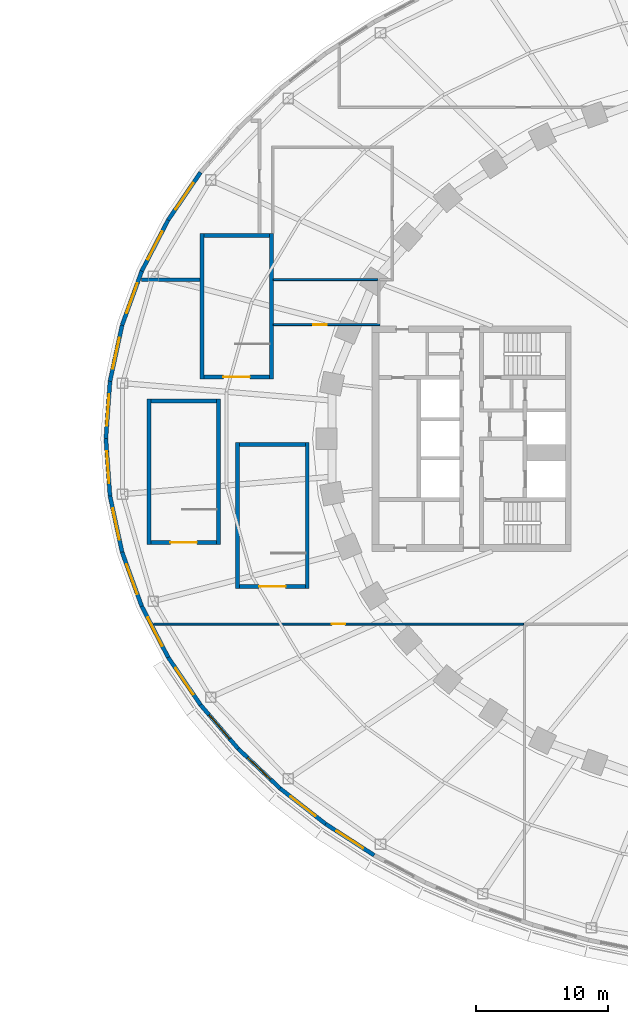
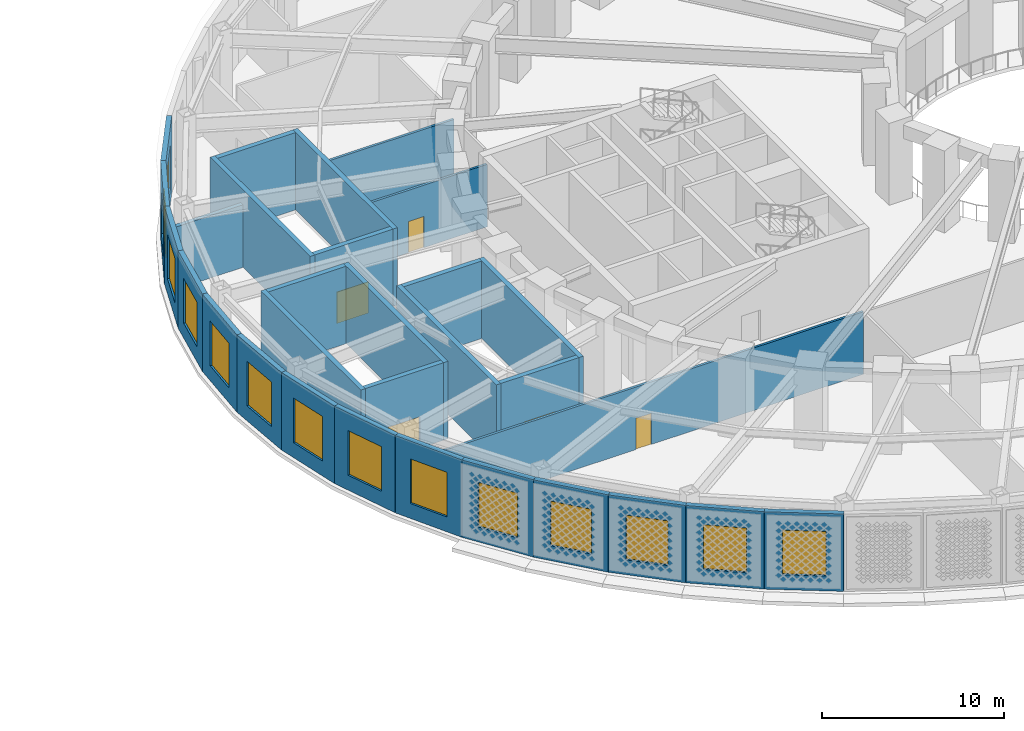
# One storey, part 8 of 63: 30 walls, 14 windows, 5 doors, 19 openings.
"""IFC4 building model written with IfcOpenShell, lengths in metres."""

from ifc_helpers import new_model, si_unit, direction, frame, frame_2d, origin, place, context, subcontext, project, spatial, rectangle, extrude, material, layer, layer_set, type_object, element, fill, save


model = new_model("IFC4")

# Units and contexts
model_context = context("Model", 3, precision=1e-05, world=origin(), true_north=direction((0.0, 1.0)))
body_context = subcontext(model_context, "Body", "Model", "MODEL_VIEW")
ifc_project = project(units=[si_unit("LENGTHUNIT", "METRE"), si_unit("AREAUNIT", "SQUARE_METRE"), si_unit("VOLUMEUNIT", "CUBIC_METRE"), si_unit("PLANEANGLEUNIT", "RADIAN"), si_unit("MASSUNIT", "GRAM", prefix="KILO")], contexts=[model_context])

# Site, building, storey
site_placement = place(None, origin())
site = spatial("IfcSite", under=ifc_project, at=site_placement, CompositionType="ELEMENT")
building_placement = place(site_placement, origin())
building = spatial("IfcBuilding", under=site, at=building_placement, Name="Noorbagh Ring Tower", CompositionType="ELEMENT")
storey_placement = place(building_placement, frame((0.0, 0.0, 25.0)))
storey = spatial("IfcBuildingStorey", under=building, at=storey_placement, Name="L04", CompositionType="ELEMENT", Elevation=25.0)

# Wall, opening, window
ifc_material_1 = material(Name="Blockwork faced with red sandstone", Category="masonry")
ifc_layer_1 = layer(ifc_material_1, 0.300048828125)
ifc_layer_set_1 = layer_set([ifc_layer_1], Name="Blockwork faced with red sandstone")
wall_type_1 = type_object("IfcWallType", Name="GND-ENV-WALL", PredefinedType="SOLIDWALL", material=ifc_layer_set_1)
wall_1_placement = place(storey_placement, frame((-44.451904296875, 20.103515625, 0.0), z_axis=(0.0, 0.0, 1.0), x_axis=(-0.562667738859, -0.82668314102, 0.0)))
wall_1 = element("IfcWall", 1, at=wall_1_placement, inside=storey, type_object=wall_type_1, Name="Podium wall", PredefinedType="SOLIDWALL", context=body_context, shape_type="SweptSolid", body=[
    extrude(rectangle(XDim=4.348876953125, YDim=0.300048828125, at=frame_2d((2.17431640625, 0.0))), origin(), (0.0, 0.0, 1.0), 5.199951171875),
])
opening_1_placement = place(wall_1_placement, frame((0.974365234375, 0.0, 1.0)))
opening_1 = element("IfcOpeningElement", 2, at=opening_1_placement, cuts=wall_1, Name="Opening GWN1", PredefinedType="OPENING", context=body_context, shape_type="SweptSolid", body=[
    extrude(rectangle(XDim=2.39990234375, YDim=3.0, at=frame_2d((1.199951171875, 1.5))), frame((0.0, 0.16015625, 0.0), z_axis=(0.0, -1.0, 0.0), x_axis=(1.0, 0.0, 0.0)), (0.0, 0.0, 1.0), 0.320068359375),
])
ifc_material_2 = material(Name="Aluminium and glass", Category="aluminium")
window_type = type_object("IfcWindowType", Name="GND-ENV-WINDOW", PartitioningType="SINGLE_PANEL", PredefinedType="WINDOW", material=ifc_material_2)
window_1_placement = place(opening_1_placement, origin())
window_1 = element("IfcWindow", 3, at=window_1_placement, inside=storey, type_object=window_type, Name="L04 podium window", OverallHeight=3.0, OverallWidth=2.39990234375, PartitioningType="SINGLE_PANEL", PredefinedType="WINDOW", context=body_context, shape_type="SweptSolid", body=[
    extrude(rectangle(XDim=2.39990234375, YDim=3.0, at=frame_2d((1.199951171875, 1.5))), frame((0.0, 0.030029296875, 0.0), z_axis=(0.0, -1.0, 0.0), x_axis=(1.0, 0.0, 0.0)), (0.0, 0.0, 1.0), 0.06005859375),
])
fill(opening_1, window_1)

wall_2_placement = place(storey_placement, frame((-46.89892578125, 16.50830078125, 0.0), z_axis=(0.0, 0.0, 1.0), x_axis=(-0.459242531468, -0.888310923771, 0.0)))
wall_2 = element("IfcWall", 4, at=wall_2_placement, inside=storey, type_object=wall_type_1, Name="Podium wall", PredefinedType="SOLIDWALL", context=body_context, shape_type="SweptSolid", body=[
    extrude(rectangle(XDim=4.344970703125, YDim=0.300048828125, at=frame_2d((2.17236328125, 0.0))), origin(), (0.0, 0.0, 1.0), 5.199951171875),
])
opening_2_placement = place(wall_2_placement, frame((0.972412109375, 0.0, 1.0)))
opening_2 = element("IfcOpeningElement", 5, at=opening_2_placement, cuts=wall_2, Name="Opening GWN1", PredefinedType="OPENING", context=body_context, shape_type="SweptSolid", body=[
    extrude(rectangle(XDim=2.39990234375, YDim=3.0, at=frame_2d((1.199951171875, 1.5))), frame((0.0, 0.16015625, 0.0), z_axis=(0.0, -1.0, 0.0), x_axis=(1.0, 0.0, 0.0)), (0.0, 0.0, 1.0), 0.320068359375),
])
window_2_placement = place(opening_2_placement, origin())
window_2 = element("IfcWindow", 6, at=window_2_placement, inside=storey, type_object=window_type, Name="L04 podium window", OverallHeight=3.0, OverallWidth=2.39990234375, PartitioningType="SINGLE_PANEL", PredefinedType="WINDOW", context=body_context, shape_type="SweptSolid", body=[
    extrude(rectangle(XDim=2.39990234375, YDim=3.0, at=frame_2d((1.199951171875, 1.5))), frame((0.0, 0.030029296875, 0.0), z_axis=(0.0, -1.0, 0.0), x_axis=(1.0, 0.0, 0.0)), (0.0, 0.0, 1.0), 0.06005859375),
])
fill(opening_2, window_2)

wall_3_placement = place(storey_placement, frame((-48.894287109375, 12.648681640625, 0.0), z_axis=(0.0, 0.0, 1.0), x_axis=(-0.341286990045, -0.939959142956, 0.0)))
wall_3 = element("IfcWall", 7, at=wall_3_placement, inside=storey, type_object=wall_type_1, Name="Podium wall", PredefinedType="SOLIDWALL", context=body_context, shape_type="SweptSolid", body=[
    extrude(rectangle(XDim=4.341552734375, YDim=0.300048828125, at=frame_2d((2.1708984375, 0.0))), origin(), (0.0, 0.0, 1.0), 5.199951171875),
])
opening_3_placement = place(wall_3_placement, frame((0.970703125, 0.0, 1.0)))
opening_3 = element("IfcOpeningElement", 8, at=opening_3_placement, cuts=wall_3, Name="Opening GWN1", PredefinedType="OPENING", context=body_context, shape_type="SweptSolid", body=[
    extrude(rectangle(XDim=2.39990234375, YDim=3.0, at=frame_2d((1.199951171875, 1.5))), frame((0.0, 0.16015625, 0.0), z_axis=(0.0, -1.0, 0.0), x_axis=(1.0, 0.0, 0.0)), (0.0, 0.0, 1.0), 0.320068359375),
])
window_3_placement = place(opening_3_placement, origin())
window_3 = element("IfcWindow", 9, at=window_3_placement, inside=storey, type_object=window_type, Name="L04 podium window", OverallHeight=3.0, OverallWidth=2.39990234375, PartitioningType="SINGLE_PANEL", PredefinedType="WINDOW", context=body_context, shape_type="SweptSolid", body=[
    extrude(rectangle(XDim=2.39990234375, YDim=3.0, at=frame_2d((1.199951171875, 1.5))), frame((0.0, 0.030029296875, 0.0), z_axis=(0.0, -1.0, 0.0), x_axis=(1.0, 0.0, 0.0)), (0.0, 0.0, 1.0), 0.06005859375),
])
fill(opening_3, window_3)

wall_4_placement = place(storey_placement, frame((-50.3759765625, 8.56787109375, 0.0), z_axis=(0.0, 0.0, 1.0), x_axis=(-0.210616468766, -0.977568771537, 0.0)))
wall_4 = element("IfcWall", 10, at=wall_4_placement, inside=storey, type_object=wall_type_1, Name="Podium wall", PredefinedType="SOLIDWALL", context=body_context, shape_type="SweptSolid", body=[
    extrude(rectangle(XDim=4.3388671875, YDim=0.300048828125, at=frame_2d((2.16943359375, 0.0))), origin(), (0.0, 0.0, 1.0), 5.199951171875),
])
opening_4_placement = place(wall_4_placement, frame((0.969482421875, 0.0, 1.0)))
opening_4 = element("IfcOpeningElement", 11, at=opening_4_placement, cuts=wall_4, Name="Opening GWN1", PredefinedType="OPENING", context=body_context, shape_type="SweptSolid", body=[
    extrude(rectangle(XDim=2.39990234375, YDim=3.0, at=frame_2d((1.199951171875, 1.5))), frame((0.0, 0.16015625, 0.0), z_axis=(0.0, -1.0, 0.0), x_axis=(1.0, 0.0, 0.0)), (0.0, 0.0, 1.0), 0.320068359375),
])
window_4_placement = place(opening_4_placement, origin())
window_4 = element("IfcWindow", 12, at=window_4_placement, inside=storey, type_object=window_type, Name="L04 podium window", OverallHeight=3.0, OverallWidth=2.39990234375, PartitioningType="SINGLE_PANEL", PredefinedType="WINDOW", context=body_context, shape_type="SweptSolid", body=[
    extrude(rectangle(XDim=2.39990234375, YDim=3.0, at=frame_2d((1.199951171875, 1.5))), frame((0.0, 0.030029296875, 0.0), z_axis=(0.0, -1.0, 0.0), x_axis=(1.0, 0.0, 0.0)), (0.0, 0.0, 1.0), 0.06005859375),
])
fill(opening_4, window_4)

wall_5_placement = place(storey_placement, frame((-51.289794921875, 4.326416015625, 0.0), z_axis=(0.0, 0.0, 1.0), x_axis=(-0.071315050824, -0.997453840298, 0.0)))
wall_5 = element("IfcWall", 13, at=wall_5_placement, inside=storey, type_object=wall_type_1, Name="Podium wall", PredefinedType="SOLIDWALL", context=body_context, shape_type="SweptSolid", body=[
    extrude(rectangle(XDim=4.33740234375, YDim=0.300048828125, at=frame_2d((2.168701171875, 0.0))), origin(), (0.0, 0.0, 1.0), 5.199951171875),
])
opening_5_placement = place(wall_5_placement, frame((0.96875, 0.0, 1.0)))
opening_5 = element("IfcOpeningElement", 14, at=opening_5_placement, cuts=wall_5, Name="Opening GWN1", PredefinedType="OPENING", context=body_context, shape_type="SweptSolid", body=[
    extrude(rectangle(XDim=2.39990234375, YDim=3.0, at=frame_2d((1.199951171875, 1.5))), frame((0.0, 0.16015625, 0.0), z_axis=(0.0, -1.0, 0.0), x_axis=(1.0, 0.0, 0.0)), (0.0, 0.0, 1.0), 0.320068359375),
])
window_5_placement = place(opening_5_placement, origin())
window_5 = element("IfcWindow", 15, at=window_5_placement, inside=storey, type_object=window_type, Name="L04 podium window", OverallHeight=3.0, OverallWidth=2.39990234375, PartitioningType="SINGLE_PANEL", PredefinedType="WINDOW", context=body_context, shape_type="SweptSolid", body=[
    extrude(rectangle(XDim=2.39990234375, YDim=3.0, at=frame_2d((1.199951171875, 1.5))), frame((0.0, 0.030029296875, 0.0), z_axis=(0.0, -1.0, 0.0), x_axis=(1.0, 0.0, 0.0)), (0.0, 0.0, 1.0), 0.06005859375),
])
fill(opening_5, window_5)

wall_6_placement = place(storey_placement, frame((-51.59912109375, 0.0, 0.0), z_axis=(0.0, 0.0, 1.0), x_axis=(0.071315050824, -0.997453840298, 0.0)))
wall_6 = element("IfcWall", 16, at=wall_6_placement, inside=storey, type_object=wall_type_1, Name="Podium wall", PredefinedType="SOLIDWALL", context=body_context, shape_type="SweptSolid", body=[
    extrude(rectangle(XDim=4.33740234375, YDim=0.300048828125, at=frame_2d((2.168701171875, 0.0))), origin(), (0.0, 0.0, 1.0), 5.199951171875),
])
opening_6_placement = place(wall_6_placement, frame((0.96875, 0.0, 1.0)))
opening_6 = element("IfcOpeningElement", 17, at=opening_6_placement, cuts=wall_6, Name="Opening GWN1", PredefinedType="OPENING", context=body_context, shape_type="SweptSolid", body=[
    extrude(rectangle(XDim=2.39990234375, YDim=3.0, at=frame_2d((1.199951171875, 1.5))), frame((0.0, 0.16015625, 0.0), z_axis=(0.0, -1.0, 0.0), x_axis=(1.0, 0.0, 0.0)), (0.0, 0.0, 1.0), 0.320068359375),
])
window_6_placement = place(opening_6_placement, origin())
window_6 = element("IfcWindow", 18, at=window_6_placement, inside=storey, type_object=window_type, Name="L04 podium window", OverallHeight=3.0, OverallWidth=2.39990234375, PartitioningType="SINGLE_PANEL", PredefinedType="WINDOW", context=body_context, shape_type="SweptSolid", body=[
    extrude(rectangle(XDim=2.39990234375, YDim=3.0, at=frame_2d((1.199951171875, 1.5))), frame((0.0, 0.030029296875, 0.0), z_axis=(0.0, -1.0, 0.0), x_axis=(1.0, 0.0, 0.0)), (0.0, 0.0, 1.0), 0.06005859375),
])
fill(opening_6, window_6)

wall_7_placement = place(storey_placement, frame((-51.289794921875, -4.326416015625, 0.0), z_axis=(0.0, 0.0, 1.0), x_axis=(0.210616468766, -0.977568771537, 0.0)))
wall_7 = element("IfcWall", 19, at=wall_7_placement, inside=storey, type_object=wall_type_1, Name="Podium wall", PredefinedType="SOLIDWALL", context=body_context, shape_type="SweptSolid", body=[
    extrude(rectangle(XDim=4.3388671875, YDim=0.300048828125, at=frame_2d((2.16943359375, 0.0))), origin(), (0.0, 0.0, 1.0), 5.199951171875),
])
opening_7_placement = place(wall_7_placement, frame((0.969482421875, 0.0, 1.0)))
opening_7 = element("IfcOpeningElement", 20, at=opening_7_placement, cuts=wall_7, Name="Opening GWN1", PredefinedType="OPENING", context=body_context, shape_type="SweptSolid", body=[
    extrude(rectangle(XDim=2.39990234375, YDim=3.0, at=frame_2d((1.199951171875, 1.5))), frame((0.0, 0.16015625, 0.0), z_axis=(0.0, -1.0, 0.0), x_axis=(1.0, 0.0, 0.0)), (0.0, 0.0, 1.0), 0.320068359375),
])
window_7_placement = place(opening_7_placement, origin())
window_7 = element("IfcWindow", 21, at=window_7_placement, inside=storey, type_object=window_type, Name="L04 podium window", OverallHeight=3.0, OverallWidth=2.39990234375, PartitioningType="SINGLE_PANEL", PredefinedType="WINDOW", context=body_context, shape_type="SweptSolid", body=[
    extrude(rectangle(XDim=2.39990234375, YDim=3.0, at=frame_2d((1.199951171875, 1.5))), frame((0.0, 0.030029296875, 0.0), z_axis=(0.0, -1.0, 0.0), x_axis=(1.0, 0.0, 0.0)), (0.0, 0.0, 1.0), 0.06005859375),
])
fill(opening_7, window_7)

wall_8_placement = place(storey_placement, frame((-50.3759765625, -8.56787109375, 0.0), z_axis=(0.0, 0.0, 1.0), x_axis=(0.341286990045, -0.939959142956, 0.0)))
wall_8 = element("IfcWall", 22, at=wall_8_placement, inside=storey, type_object=wall_type_1, Name="Podium wall", PredefinedType="SOLIDWALL", context=body_context, shape_type="SweptSolid", body=[
    extrude(rectangle(XDim=4.341552734375, YDim=0.300048828125, at=frame_2d((2.1708984375, 0.0))), origin(), (0.0, 0.0, 1.0), 5.199951171875),
])
opening_8_placement = place(wall_8_placement, frame((0.970703125, 0.0, 1.0)))
opening_8 = element("IfcOpeningElement", 23, at=opening_8_placement, cuts=wall_8, Name="Opening GWN1", PredefinedType="OPENING", context=body_context, shape_type="SweptSolid", body=[
    extrude(rectangle(XDim=2.39990234375, YDim=3.0, at=frame_2d((1.199951171875, 1.5))), frame((0.0, 0.16015625, 0.0), z_axis=(0.0, -1.0, 0.0), x_axis=(1.0, 0.0, 0.0)), (0.0, 0.0, 1.0), 0.320068359375),
])
window_8_placement = place(opening_8_placement, origin())
window_8 = element("IfcWindow", 24, at=window_8_placement, inside=storey, type_object=window_type, Name="L04 podium window", OverallHeight=3.0, OverallWidth=2.39990234375, PartitioningType="SINGLE_PANEL", PredefinedType="WINDOW", context=body_context, shape_type="SweptSolid", body=[
    extrude(rectangle(XDim=2.39990234375, YDim=3.0, at=frame_2d((1.199951171875, 1.5))), frame((0.0, 0.030029296875, 0.0), z_axis=(0.0, -1.0, 0.0), x_axis=(1.0, 0.0, 0.0)), (0.0, 0.0, 1.0), 0.06005859375),
])
fill(opening_8, window_8)

wall_9_placement = place(storey_placement, frame((-48.894287109375, -12.648681640625, 0.0), z_axis=(0.0, 0.0, 1.0), x_axis=(0.459242531468, -0.888310923771, 0.0)))
wall_9 = element("IfcWall", 25, at=wall_9_placement, inside=storey, type_object=wall_type_1, Name="Podium wall", PredefinedType="SOLIDWALL", context=body_context, shape_type="SweptSolid", body=[
    extrude(rectangle(XDim=4.344970703125, YDim=0.300048828125, at=frame_2d((2.17236328125, 0.0))), origin(), (0.0, 0.0, 1.0), 5.199951171875),
])
opening_9_placement = place(wall_9_placement, frame((0.972412109375, 0.0, 1.0)))
opening_9 = element("IfcOpeningElement", 26, at=opening_9_placement, cuts=wall_9, Name="Opening GWN1", PredefinedType="OPENING", context=body_context, shape_type="SweptSolid", body=[
    extrude(rectangle(XDim=2.39990234375, YDim=3.0, at=frame_2d((1.199951171875, 1.5))), frame((0.0, 0.16015625, 0.0), z_axis=(0.0, -1.0, 0.0), x_axis=(1.0, 0.0, 0.0)), (0.0, 0.0, 1.0), 0.320068359375),
])
window_9_placement = place(opening_9_placement, origin())
window_9 = element("IfcWindow", 27, at=window_9_placement, inside=storey, type_object=window_type, Name="L04 podium window", OverallHeight=3.0, OverallWidth=2.39990234375, PartitioningType="SINGLE_PANEL", PredefinedType="WINDOW", context=body_context, shape_type="SweptSolid", body=[
    extrude(rectangle(XDim=2.39990234375, YDim=3.0, at=frame_2d((1.199951171875, 1.5))), frame((0.0, 0.030029296875, 0.0), z_axis=(0.0, -1.0, 0.0), x_axis=(1.0, 0.0, 0.0)), (0.0, 0.0, 1.0), 0.06005859375),
])
fill(opening_9, window_9)

wall_10_placement = place(storey_placement, frame((-46.89892578125, -16.50830078125, 0.0), z_axis=(0.0, 0.0, 1.0), x_axis=(0.562667738859, -0.82668314102, 0.0)))
wall_10 = element("IfcWall", 28, at=wall_10_placement, inside=storey, type_object=wall_type_1, Name="Podium wall", PredefinedType="SOLIDWALL", context=body_context, shape_type="SweptSolid", body=[
    extrude(rectangle(XDim=4.348876953125, YDim=0.300048828125, at=frame_2d((2.17431640625, 0.0))), origin(), (0.0, 0.0, 1.0), 5.199951171875),
])
opening_10_placement = place(wall_10_placement, frame((0.974365234375, 0.0, 1.0)))
opening_10 = element("IfcOpeningElement", 29, at=opening_10_placement, cuts=wall_10, Name="Opening GWN1", PredefinedType="OPENING", context=body_context, shape_type="SweptSolid", body=[
    extrude(rectangle(XDim=2.39990234375, YDim=3.0, at=frame_2d((1.199951171875, 1.5))), frame((0.0, 0.16015625, 0.0), z_axis=(0.0, -1.0, 0.0), x_axis=(1.0, 0.0, 0.0)), (0.0, 0.0, 1.0), 0.320068359375),
])
window_10_placement = place(opening_10_placement, origin())
window_10 = element("IfcWindow", 30, at=window_10_placement, inside=storey, type_object=window_type, Name="L04 podium window", OverallHeight=3.0, OverallWidth=2.39990234375, PartitioningType="SINGLE_PANEL", PredefinedType="WINDOW", context=body_context, shape_type="SweptSolid", body=[
    extrude(rectangle(XDim=2.39990234375, YDim=3.0, at=frame_2d((1.199951171875, 1.5))), frame((0.0, 0.030029296875, 0.0), z_axis=(0.0, -1.0, 0.0), x_axis=(1.0, 0.0, 0.0)), (0.0, 0.0, 1.0), 0.06005859375),
])
fill(opening_10, window_10)

wall_11_placement = place(storey_placement, frame((-44.451904296875, -20.103515625, 0.0), z_axis=(0.0, 0.0, 1.0), x_axis=(0.651387059497, -0.758745608699, 0.0)))
wall_11 = element("IfcWall", 31, at=wall_11_placement, inside=storey, type_object=wall_type_1, Name="Podium wall", PredefinedType="SOLIDWALL", context=body_context, shape_type="SweptSolid", body=[
    extrude(rectangle(XDim=4.3525390625, YDim=0.300048828125, at=frame_2d((2.17626953125, 0.0))), origin(), (0.0, 0.0, 1.0), 5.199951171875),
])
opening_11_placement = place(wall_11_placement, frame((0.976318359375, 0.0, 1.0)))
opening_11 = element("IfcOpeningElement", 32, at=opening_11_placement, cuts=wall_11, Name="Opening GWN1", PredefinedType="OPENING", context=body_context, shape_type="SweptSolid", body=[
    extrude(rectangle(XDim=2.39990234375, YDim=3.0, at=frame_2d((1.199951171875, 1.5))), frame((0.0, 0.16015625, 0.0), z_axis=(0.0, -1.0, 0.0), x_axis=(1.0, 0.0, 0.0)), (0.0, 0.0, 1.0), 0.320068359375),
])
window_11_placement = place(opening_11_placement, origin())
window_11 = element("IfcWindow", 33, at=window_11_placement, inside=storey, type_object=window_type, Name="L04 podium window", OverallHeight=3.0, OverallWidth=2.39990234375, PartitioningType="SINGLE_PANEL", PredefinedType="WINDOW", context=body_context, shape_type="SweptSolid", body=[
    extrude(rectangle(XDim=2.39990234375, YDim=3.0, at=frame_2d((1.199951171875, 1.5))), frame((0.0, 0.030029296875, 0.0), z_axis=(0.0, -1.0, 0.0), x_axis=(1.0, 0.0, 0.0)), (0.0, 0.0, 1.0), 0.06005859375),
])
fill(opening_11, window_11)

wall_12_placement = place(storey_placement, frame((-41.61669921875, -23.406005859375, 0.0), z_axis=(0.0, 0.0, 1.0), x_axis=(0.72620446032, -0.687478786444, 0.0)))
wall_12 = element("IfcWall", 34, at=wall_12_placement, inside=storey, type_object=wall_type_1, Name="Podium wall", PredefinedType="SOLIDWALL", context=body_context, shape_type="SweptSolid", body=[
    extrude(rectangle(XDim=4.356201171875, YDim=0.300048828125, at=frame_2d((2.17822265625, 0.0))), origin(), (0.0, 0.0, 1.0), 5.199951171875),
])
opening_12_placement = place(wall_12_placement, frame((0.97802734375, 0.0, 1.0)))
opening_12 = element("IfcOpeningElement", 35, at=opening_12_placement, cuts=wall_12, Name="Opening GWN1", PredefinedType="OPENING", context=body_context, shape_type="SweptSolid", body=[
    extrude(rectangle(XDim=2.39990234375, YDim=3.0, at=frame_2d((1.199951171875, 1.5))), frame((0.0, 0.16015625, 0.0), z_axis=(0.0, -1.0, 0.0), x_axis=(1.0, 0.0, 0.0)), (0.0, 0.0, 1.0), 0.320068359375),
])
window_12_placement = place(opening_12_placement, origin())
window_12 = element("IfcWindow", 36, at=window_12_placement, inside=storey, type_object=window_type, Name="L04 podium window", OverallHeight=3.0, OverallWidth=2.39990234375, PartitioningType="SINGLE_PANEL", PredefinedType="WINDOW", context=body_context, shape_type="SweptSolid", body=[
    extrude(rectangle(XDim=2.39990234375, YDim=3.0, at=frame_2d((1.199951171875, 1.5))), frame((0.0, 0.030029296875, 0.0), z_axis=(0.0, -1.0, 0.0), x_axis=(1.0, 0.0, 0.0)), (0.0, 0.0, 1.0), 0.06005859375),
])
fill(opening_12, window_12)

wall_13_placement = place(storey_placement, frame((-38.453125, -26.40087890625, 0.0), z_axis=(0.0, 0.0, 1.0), x_axis=(0.788491985196, -0.615045030288, 0.0)))
wall_13 = element("IfcWall", 37, at=wall_13_placement, inside=storey, type_object=wall_type_1, Name="Podium wall", PredefinedType="SOLIDWALL", context=body_context, shape_type="SweptSolid", body=[
    extrude(rectangle(XDim=4.359375, YDim=0.300048828125, at=frame_2d((2.1796875, 0.0))), origin(), (0.0, 0.0, 1.0), 5.199951171875),
])
opening_13_placement = place(wall_13_placement, frame((0.979736328125, 0.0, 1.0)))
opening_13 = element("IfcOpeningElement", 38, at=opening_13_placement, cuts=wall_13, Name="Opening GWN1", PredefinedType="OPENING", context=body_context, shape_type="SweptSolid", body=[
    extrude(rectangle(XDim=2.39990234375, YDim=3.0, at=frame_2d((1.199951171875, 1.5))), frame((0.0, 0.16015625, 0.0), z_axis=(0.0, -1.0, 0.0), x_axis=(1.0, 0.0, 0.0)), (0.0, 0.0, 1.0), 0.320068359375),
])
window_13_placement = place(opening_13_placement, origin())
window_13 = element("IfcWindow", 39, at=window_13_placement, inside=storey, type_object=window_type, Name="L04 podium window", OverallHeight=3.0, OverallWidth=2.39990234375, PartitioningType="SINGLE_PANEL", PredefinedType="WINDOW", context=body_context, shape_type="SweptSolid", body=[
    extrude(rectangle(XDim=2.39990234375, YDim=3.0, at=frame_2d((1.199951171875, 1.5))), frame((0.0, 0.030029296875, 0.0), z_axis=(0.0, -1.0, 0.0), x_axis=(1.0, 0.0, 0.0)), (0.0, 0.0, 1.0), 0.06005859375),
])
fill(opening_13, window_13)

wall_14_placement = place(storey_placement, frame((-35.015869140625, -29.08203125, 0.0), z_axis=(0.0, 0.0, 1.0), x_axis=(0.840047348843, -0.542513088969, 0.0)))
wall_14 = element("IfcWall", 40, at=wall_14_placement, inside=storey, type_object=wall_type_1, Name="Podium wall", PredefinedType="SOLIDWALL", context=body_context, shape_type="SweptSolid", body=[
    extrude(rectangle(XDim=4.362060546875, YDim=0.300048828125, at=frame_2d((2.18115234375, 0.0))), origin(), (0.0, 0.0, 1.0), 5.199951171875),
])
opening_14_placement = place(wall_14_placement, frame((0.98095703125, 0.0, 1.0)))
opening_14 = element("IfcOpeningElement", 41, at=opening_14_placement, cuts=wall_14, Name="Opening GWN1", PredefinedType="OPENING", context=body_context, shape_type="SweptSolid", body=[
    extrude(rectangle(XDim=2.39990234375, YDim=3.0, at=frame_2d((1.199951171875, 1.5))), frame((0.0, 0.16015625, 0.0), z_axis=(0.0, -1.0, 0.0), x_axis=(1.0, 0.0, 0.0)), (0.0, 0.0, 1.0), 0.320068359375),
])
window_14_placement = place(opening_14_placement, origin())
window_14 = element("IfcWindow", 42, at=window_14_placement, inside=storey, type_object=window_type, Name="L04 podium window", OverallHeight=3.0, OverallWidth=2.39990234375, PartitioningType="SINGLE_PANEL", PredefinedType="WINDOW", context=body_context, shape_type="SweptSolid", body=[
    extrude(rectangle(XDim=2.39990234375, YDim=3.0, at=frame_2d((1.199951171875, 1.5))), frame((0.0, 0.030029296875, 0.0), z_axis=(0.0, -1.0, 0.0), x_axis=(1.0, 0.0, 0.0)), (0.0, 0.0, 1.0), 0.06005859375),
])
fill(opening_14, window_14)

# Wall, opening, door
ifc_material_3 = material(Name="Gypsum board on steel studs", Category="steel")
ifc_layer_2 = layer(ifc_material_3, 0.14990234375)
ifc_layer_set_2 = layer_set([ifc_layer_2], Name="Gypsum board on steel studs")
wall_type_2 = type_object("IfcWallType", Name="GND-PART-150", PredefinedType="PARTITIONING", material=ifc_layer_set_2)
wall_15_placement = place(storey_placement, frame((-47.996826171875, -14.0, 0.0), z_axis=(0.0, 0.0, 1.0), x_axis=(1.0, 0.0, 0.0)))
wall_15 = element("IfcWall", 43, at=wall_15_placement, inside=storey, type_object=wall_type_2, Name="L04/wall/P006", PredefinedType="PARTITIONING", context=body_context, shape_type="SweptSolid", body=[
    extrude(rectangle(XDim=27.923095703125, YDim=0.14990234375, at=frame_2d((13.96142578125, 0.0))), origin(), (0.0, 0.0, 1.0), 4.199951171875),
])
opening_15_placement = place(wall_15_placement, frame((13.461669921875, 0.0, 0.0)))
opening_15 = element("IfcOpeningElement", 44, at=opening_15_placement, cuts=wall_15, Name="Opening GD6", PredefinedType="OPENING", context=body_context, shape_type="SweptSolid", body=[
    extrude(rectangle(XDim=1.0, YDim=2.10009765625, at=frame_2d((0.5, 1.050048828125))), frame((0.0, 0.0849609375, 0.0), z_axis=(0.0, -1.0, 0.0), x_axis=(1.0, 0.0, 0.0)), (0.0, 0.0, 1.0), 0.169921875),
])
ifc_material_4 = material(Name="Timber", Category="wood")
door_type_1 = type_object("IfcDoorType", Name="GND-DOOR-HALL", OperationType="SINGLE_SWING_LEFT", PredefinedType="DOOR", material=ifc_material_4)
door_1_placement = place(opening_15_placement, origin())
door_1 = element("IfcDoor", 45, at=door_1_placement, inside=storey, type_object=door_type_1, Name="Executive suite 1 door", OperationType="SINGLE_SWING_RIGHT", OverallHeight=2.10009765625, OverallWidth=1.0, PredefinedType="DOOR", context=body_context, shape_type="SweptSolid", body=[
    extrude(rectangle(XDim=1.0, YDim=2.10009765625, at=frame_2d((0.5, 1.050048828125))), frame((0.0, 0.02490234375, 0.0), z_axis=(0.0, -1.0, 0.0), x_axis=(1.0, 0.0, 0.0)), (0.0, 0.0, 1.0), 0.050048828125),
])
fill(opening_15, door_1)

# Wall
wall_16_placement = place(storey_placement, frame((-31.06494140625, 12.0, 0.0), z_axis=(0.0, 0.0, 1.0), x_axis=(-1.0, 0.0, 0.0)))
element("IfcWall", 46, at=wall_16_placement, inside=storey, type_object=wall_type_2, Name="L04/wall/P018", PredefinedType="PARTITIONING", context=body_context, shape_type="SweptSolid", body=[
    extrude(rectangle(XDim=7.885009765625, YDim=0.14990234375, at=frame_2d((3.9423828125, 0.0))), origin(), (0.0, 0.0, 1.0), 5.199951171875),
])

# Wall, opening, door
wall_17_placement = place(storey_placement, frame((-30.925048828125, 8.60009765625, 0.0), z_axis=(0.0, 0.0, 1.0), x_axis=(-1.0, 0.0, 0.0)))
wall_17 = element("IfcWall", 47, at=wall_17_placement, inside=storey, type_object=wall_type_2, Name="L04/wall/P023", PredefinedType="PARTITIONING", context=body_context, shape_type="SweptSolid", body=[
    extrude(rectangle(XDim=8.02490234375, YDim=0.14990234375, at=frame_2d((4.012451171875, 0.0))), origin(), (0.0, 0.0, 1.0), 4.199951171875),
])
opening_16_placement = place(wall_17_placement, frame((4.012451171875, 0.0, 0.0)))
opening_16 = element("IfcOpeningElement", 48, at=opening_16_placement, cuts=wall_17, Name="Opening GD6", PredefinedType="OPENING", context=body_context, shape_type="SweptSolid", body=[
    extrude(rectangle(XDim=1.0, YDim=2.10009765625, at=frame_2d((0.5, 1.050048828125))), frame((0.0, 0.0849609375, 0.0), z_axis=(0.0, -1.0, 0.0), x_axis=(1.0, 0.0, 0.0)), (0.0, 0.0, 1.0), 0.169921875),
])
door_2_placement = place(opening_16_placement, origin())
door_2 = element("IfcDoor", 49, at=door_2_placement, inside=storey, type_object=door_type_1, Name="Accessible WC door", OperationType="SINGLE_SWING_LEFT", OverallHeight=2.10009765625, OverallWidth=1.0, PredefinedType="DOOR", context=body_context, shape_type="SweptSolid", body=[
    extrude(rectangle(XDim=1.0, YDim=2.10009765625, at=frame_2d((0.5, 1.050048828125))), frame((0.0, 0.02490234375, 0.0), z_axis=(0.0, -1.0, 0.0), x_axis=(1.0, 0.0, 0.0)), (0.0, 0.0, 1.0), 0.050048828125),
])
fill(opening_16, door_2)

# Walls
ifc_material_5 = material(Name="Reinforced blockwork", Category="masonry")
ifc_layer_3 = layer(ifc_material_5, 0.25)
ifc_layer_set_3 = layer_set([ifc_layer_3], Name="Reinforced blockwork")
wall_type_3 = type_object("IfcWallType", Name="GND-PART-250", PredefinedType="PARTITIONING", material=ifc_layer_set_3)
wall_18_placement = place(storey_placement, frame((-44.5, 12.0, 0.0), z_axis=(0.0, 0.0, 1.0), x_axis=(-1.0, 0.0, 0.0)))
element("IfcWall", 50, at=wall_18_placement, inside=storey, type_object=wall_type_3, Name="L04/wall/P015", PredefinedType="PARTITIONING", context=body_context, shape_type="SweptSolid", body=[
    extrude(rectangle(XDim=4.430419921875, YDim=0.25, at=frame_2d((2.21533203125, 0.0))), origin(), (0.0, 0.0, 1.0), 4.199951171875),
])
ifc_material_6 = material(Name="Concrete C60/75", Category="concrete")
ifc_layer_4 = layer(ifc_material_6, 0.300048828125)
ifc_layer_set_4 = layer_set([ifc_layer_4], Name="Concrete C60/75")
wall_type_4 = type_object("IfcWallType", Name="GND-STAIR-WALL", PredefinedType="SHEAR", material=ifc_layer_set_4)
for number, where, z_axis, x_axis, name in (
    (51, (-41.64990234375, -11.300048828125, 0.0), (0.0, 0.0, 1.0), (0.0, 1.0, 0.0), "Exit stair ST-P1 wall"),
    (52, (-36.39990234375, -11.300048828125, 0.0), (0.0, 0.0, 1.0), (0.0, 1.0, 0.0), "Exit stair ST-P1 wall"),
):
    element("IfcWall", number, at=place(storey_placement, frame(where, z_axis=z_axis, x_axis=x_axis)), inside=storey, type_object=wall_type_4, Name=name, PredefinedType="SHEAR", context=body_context, shape_type="SweptSolid", body=[
        extrude(rectangle(XDim=11.0, YDim=0.300048828125, at=frame_2d((5.5, 0.0))), origin(), (0.0, 0.0, 1.0), 5.199951171875),
    ])

# Wall, opening, door
wall_19_placement = place(storey_placement, frame((-41.5, -11.14990234375, 0.0), z_axis=(0.0, 0.0, 1.0), x_axis=(1.0, 0.0, 0.0)))
wall_19 = element("IfcWall", 53, at=wall_19_placement, inside=storey, type_object=wall_type_4, Name="Exit stair ST-P1 wall", PredefinedType="SHEAR", context=body_context, shape_type="SweptSolid", body=[
    extrude(rectangle(XDim=4.949951171875, YDim=0.300048828125, at=frame_2d((2.47509765625, 0.0))), origin(), (0.0, 0.0, 1.0), 5.199951171875),
])
opening_17_placement = place(wall_19_placement, frame((1.47509765625, 0.0, 0.0)))
opening_17 = element("IfcOpeningElement", 54, at=opening_17_placement, cuts=wall_19, Name="Opening GD17", PredefinedType="OPENING", context=body_context, shape_type="SweptSolid", body=[
    extrude(rectangle(XDim=2.0, YDim=2.10009765625, at=frame_2d((1.0, 1.050048828125))), frame((0.0, 0.16015625, 0.0), z_axis=(0.0, -1.0, 0.0), x_axis=(1.0, 0.0, 0.0)), (0.0, 0.0, 1.0), 0.320068359375),
])
ifc_material_7 = material(Name="Steel", Category="steel")
door_type_2 = type_object("IfcDoorType", Name="GND-STAIR-DOOR", OperationType="DOUBLE_DOOR_SINGLE_SWING", PredefinedType="DOOR", material=ifc_material_7)
door_3_placement = place(opening_17_placement, origin())
door_3 = element("IfcDoor", 55, at=door_3_placement, inside=storey, type_object=door_type_2, Name="Exit stair ST-P1 door", OperationType="DOUBLE_DOOR_SINGLE_SWING", OverallHeight=2.10009765625, OverallWidth=2.0, PredefinedType="DOOR", context=body_context, shape_type="SweptSolid", body=[
    extrude(rectangle(XDim=2.0, YDim=2.10009765625, at=frame_2d((1.0, 1.050048828125))), frame((0.0, 0.02490234375, 0.0), z_axis=(0.0, -1.0, 0.0), x_axis=(1.0, 0.0, 0.0)), (0.0, 0.0, 1.0), 0.050048828125),
])
fill(opening_17, door_3)

# Walls
wall_20_placement = place(storey_placement, frame((-41.5, -0.449951171875, 0.0), z_axis=(0.0, 0.0, 1.0), x_axis=(1.0, 0.0, 0.0)))
element("IfcWall", 56, at=wall_20_placement, inside=storey, type_object=wall_type_4, Name="Exit stair ST-P1 wall", PredefinedType="SHEAR", context=body_context, shape_type="SweptSolid", body=[
    extrude(rectangle(XDim=4.949951171875, YDim=0.300048828125, at=frame_2d((2.47509765625, 0.0))), origin(), (0.0, 0.0, 1.0), 5.199951171875),
])
for number, where, z_axis, x_axis, name in (
    (57, (-48.35009765625, -8.0, 0.0), (0.0, 0.0, 1.0), (0.0, 1.0, 0.0), "Exit stair ST-P3 wall"),
    (58, (-43.10009765625, -8.0, 0.0), (0.0, 0.0, 1.0), (0.0, 1.0, 0.0), "Exit stair ST-P3 wall"),
):
    element("IfcWall", number, at=place(storey_placement, frame(where, z_axis=z_axis, x_axis=x_axis)), inside=storey, type_object=wall_type_4, Name=name, PredefinedType="SHEAR", context=body_context, shape_type="SweptSolid", body=[
        extrude(rectangle(XDim=11.0, YDim=0.300048828125, at=frame_2d((5.5, 0.0))), origin(), (0.0, 0.0, 1.0), 5.199951171875),
    ])

# Wall, opening, door
wall_21_placement = place(storey_placement, frame((-48.199951171875, -7.85009765625, 0.0), z_axis=(0.0, 0.0, 1.0), x_axis=(1.0, 0.0, 0.0)))
wall_21 = element("IfcWall", 59, at=wall_21_placement, inside=storey, type_object=wall_type_4, Name="Exit stair ST-P3 wall", PredefinedType="SHEAR", context=body_context, shape_type="SweptSolid", body=[
    extrude(rectangle(XDim=4.949951171875, YDim=0.300048828125, at=frame_2d((2.47509765625, 0.0))), origin(), (0.0, 0.0, 1.0), 5.199951171875),
])
opening_18_placement = place(wall_21_placement, frame((1.47509765625, 0.0, 0.0)))
opening_18 = element("IfcOpeningElement", 60, at=opening_18_placement, cuts=wall_21, Name="Opening GD17", PredefinedType="OPENING", context=body_context, shape_type="SweptSolid", body=[
    extrude(rectangle(XDim=2.0, YDim=2.10009765625, at=frame_2d((1.0, 1.050048828125))), frame((0.0, 0.16015625, 0.0), z_axis=(0.0, -1.0, 0.0), x_axis=(1.0, 0.0, 0.0)), (0.0, 0.0, 1.0), 0.320068359375),
])
door_4_placement = place(opening_18_placement, origin())
door_4 = element("IfcDoor", 61, at=door_4_placement, inside=storey, type_object=door_type_2, Name="Exit stair ST-P3 door", OperationType="DOUBLE_DOOR_SINGLE_SWING", OverallHeight=2.10009765625, OverallWidth=2.0, PredefinedType="DOOR", context=body_context, shape_type="SweptSolid", body=[
    extrude(rectangle(XDim=2.0, YDim=2.10009765625, at=frame_2d((1.0, 1.050048828125))), frame((0.0, 0.02490234375, 0.0), z_axis=(0.0, -1.0, 0.0), x_axis=(1.0, 0.0, 0.0)), (0.0, 0.0, 1.0), 0.050048828125),
])
fill(opening_18, door_4)

# Walls
wall_22_placement = place(storey_placement, frame((-48.199951171875, 2.85009765625, 0.0), z_axis=(0.0, 0.0, 1.0), x_axis=(1.0, 0.0, 0.0)))
element("IfcWall", 62, at=wall_22_placement, inside=storey, type_object=wall_type_4, Name="Exit stair ST-P3 wall", PredefinedType="SHEAR", context=body_context, shape_type="SweptSolid", body=[
    extrude(rectangle(XDim=4.949951171875, YDim=0.300048828125, at=frame_2d((2.47509765625, 0.0))), origin(), (0.0, 0.0, 1.0), 5.199951171875),
])
for number, where, z_axis, x_axis, name in (
    (63, (-44.35009765625, 4.5, 0.0), (0.0, 0.0, 1.0), (0.0, 1.0, 0.0), "Exit stair ST-P7 wall"),
    (64, (-39.10009765625, 4.5, 0.0), (0.0, 0.0, 1.0), (0.0, 1.0, 0.0), "Exit stair ST-P7 wall"),
):
    element("IfcWall", number, at=place(storey_placement, frame(where, z_axis=z_axis, x_axis=x_axis)), inside=storey, type_object=wall_type_4, Name=name, PredefinedType="SHEAR", context=body_context, shape_type="SweptSolid", body=[
        extrude(rectangle(XDim=11.0, YDim=0.300048828125, at=frame_2d((5.5, 0.0))), origin(), (0.0, 0.0, 1.0), 5.199951171875),
    ])

# Wall, opening, door
wall_23_placement = place(storey_placement, frame((-44.199951171875, 4.64990234375, 0.0), z_axis=(0.0, 0.0, 1.0), x_axis=(1.0, 0.0, 0.0)))
wall_23 = element("IfcWall", 65, at=wall_23_placement, inside=storey, type_object=wall_type_4, Name="Exit stair ST-P7 wall", PredefinedType="SHEAR", context=body_context, shape_type="SweptSolid", body=[
    extrude(rectangle(XDim=4.949951171875, YDim=0.300048828125, at=frame_2d((2.47509765625, 0.0))), origin(), (0.0, 0.0, 1.0), 5.199951171875),
])
opening_19_placement = place(wall_23_placement, frame((1.47509765625, 0.0, 0.0)))
opening_19 = element("IfcOpeningElement", 66, at=opening_19_placement, cuts=wall_23, Name="Opening GD17", PredefinedType="OPENING", context=body_context, shape_type="SweptSolid", body=[
    extrude(rectangle(XDim=2.0, YDim=2.10009765625, at=frame_2d((1.0, 1.050048828125))), frame((0.0, 0.16015625, 0.0), z_axis=(0.0, -1.0, 0.0), x_axis=(1.0, 0.0, 0.0)), (0.0, 0.0, 1.0), 0.320068359375),
])
door_5_placement = place(opening_19_placement, origin())
door_5 = element("IfcDoor", 67, at=door_5_placement, inside=storey, type_object=door_type_2, Name="Exit stair ST-P7 door", OperationType="DOUBLE_DOOR_SINGLE_SWING", OverallHeight=2.10009765625, OverallWidth=2.0, PredefinedType="DOOR", context=body_context, shape_type="SweptSolid", body=[
    extrude(rectangle(XDim=2.0, YDim=2.10009765625, at=frame_2d((1.0, 1.050048828125))), frame((0.0, 0.02490234375, 0.0), z_axis=(0.0, -1.0, 0.0), x_axis=(1.0, 0.0, 0.0)), (0.0, 0.0, 1.0), 0.050048828125),
])
fill(opening_19, door_5)

# Wall
wall_24_placement = place(storey_placement, frame((-44.199951171875, 15.35009765625, 0.0), z_axis=(0.0, 0.0, 1.0), x_axis=(1.0, 0.0, 0.0)))
element("IfcWall", 68, at=wall_24_placement, inside=storey, type_object=wall_type_4, Name="Exit stair ST-P7 wall", PredefinedType="SHEAR", context=body_context, shape_type="SweptSolid", body=[
    extrude(rectangle(XDim=4.949951171875, YDim=0.300048828125, at=frame_2d((2.47509765625, 0.0))), origin(), (0.0, 0.0, 1.0), 5.199951171875),
])

save(model, "model.ifc")
